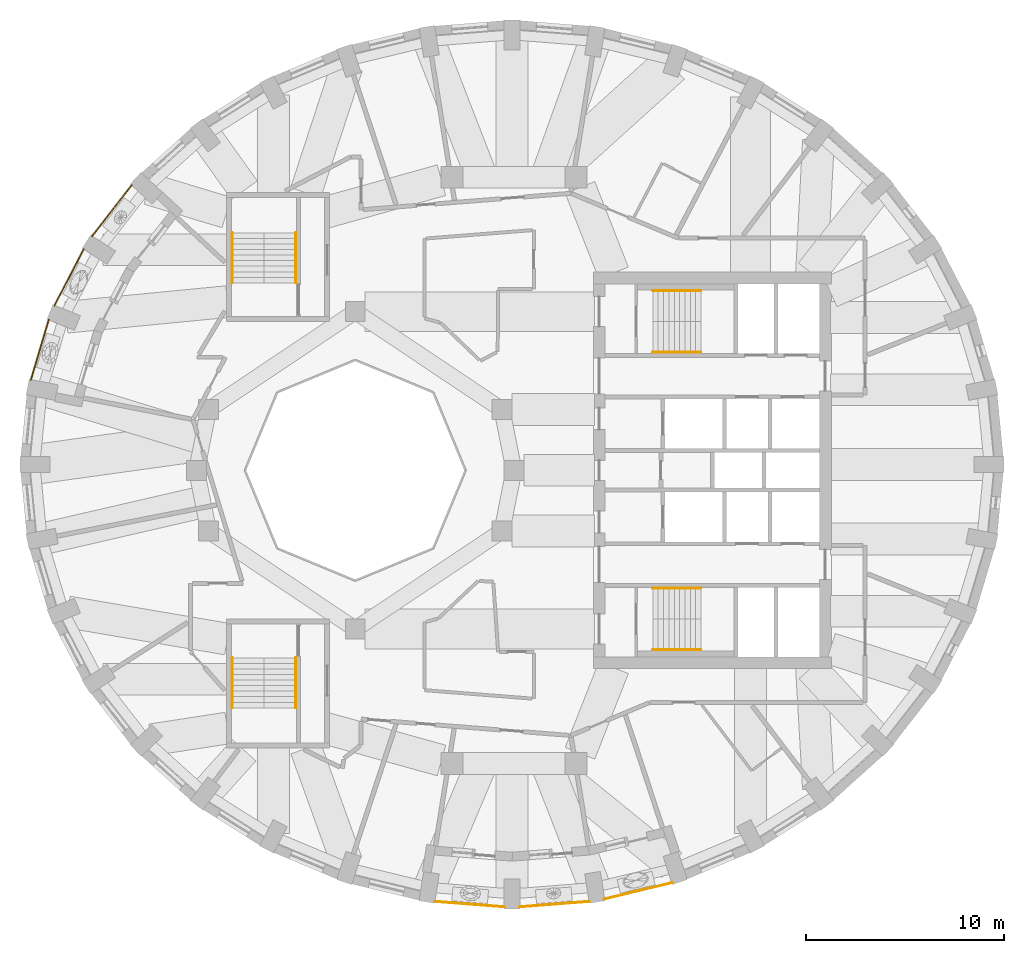
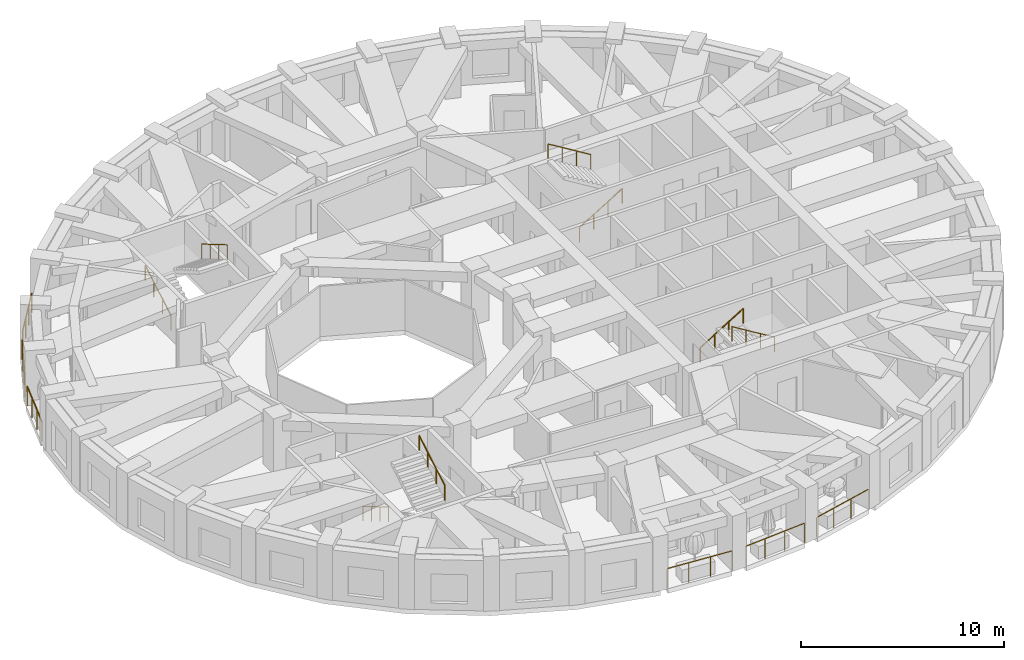
# One storey, part 10 of 12: 14 railings.
"""IFC4 building model written with IfcOpenShell, lengths in metres."""

from ifc_helpers import new_model, si_unit, direction, frame, origin, origin_2d, place, context, subcontext, project, spatial, circle, extrude, material, type_object, element, save


model = new_model("IFC4")

# Units and contexts
model_context = context("Model", 3, precision=1e-05, world=origin(), true_north=direction((0.0, 1.0)))
body_context = subcontext(model_context, "Body", "Model", "MODEL_VIEW")
ifc_project = project(units=[si_unit("LENGTHUNIT", "METRE"), si_unit("AREAUNIT", "SQUARE_METRE"), si_unit("VOLUMEUNIT", "CUBIC_METRE"), si_unit("PLANEANGLEUNIT", "RADIAN"), si_unit("MASSUNIT", "GRAM", prefix="KILO")], contexts=[model_context])

# Site, building, storey
site_placement = place(None, origin())
site = spatial("IfcSite", under=ifc_project, at=site_placement, CompositionType="ELEMENT")
building_placement = place(site_placement, origin())
building = spatial("IfcBuilding", under=site, at=building_placement, Name="Taillehof Tower", CompositionType="ELEMENT")
storey_placement = place(building_placement, frame((0.0, 0.0, 249.800048828125)))
storey = spatial("IfcBuildingStorey", under=building, at=storey_placement, Name="L71", CompositionType="ELEMENT", Elevation=249.800048828125)

# Railings
ifc_material_1 = material(Name="Stainless steel balustrade", Category="steel")
railing_type_1 = type_object("IfcRailingType", Name="Balcony guard 1200", PredefinedType="GUARDRAIL", material=ifc_material_1)
railing_1_placement = place(storey_placement, frame((-4.004638671875, -21.732177734375, 0.0)))
element("IfcRailing", 1, at=railing_1_placement, inside=storey, type_object=railing_type_1, Name="Balcony guard L71 bay 27", PredefinedType="GUARDRAIL", context=body_context, shape_type="SweptSolid", body=[
    extrude(circle(Radius=0.02392578125, at=origin_2d()), frame((0.0, 0.0, 1.17578125), z_axis=(0.99691310074, -0.078512862474, 0.0), x_axis=(0.078512862474, 0.99691310074, 0.0)), (0.0, 0.0, 1.0), 3.53564453125),
    extrude(circle(Radius=0.02099609375, at=origin_2d()), origin(), (0.0, 0.0, 1.0), 1.15185546875),
    extrude(circle(Radius=0.02099609375, at=origin_2d()), frame((1.1748046875, -0.092529296875, 0.0)), (0.0, 0.0, 1.0), 1.15185546875),
    extrude(circle(Radius=0.02099609375, at=origin_2d()), frame((2.349853515625, -0.18505859375, 0.0)), (0.0, 0.0, 1.0), 1.15185546875),
    extrude(circle(Radius=0.02099609375, at=origin_2d()), frame((3.524658203125, -0.277587890625, 0.0)), (0.0, 0.0, 1.0), 1.15185546875),
])
railing_2_placement = place(storey_placement, frame((0.280029296875, -22.009765625, 0.0)))
element("IfcRailing", 2, at=railing_2_placement, inside=storey, type_object=railing_type_1, Name="Balcony guard L71 bay 28", PredefinedType="GUARDRAIL", context=body_context, shape_type="SweptSolid", body=[
    extrude(circle(Radius=0.02392578125, at=origin_2d()), frame((0.0, 0.0, 1.17578125), z_axis=(0.99691310074, 0.078512862474, 0.0), x_axis=(-0.078512862474, 0.99691310074, 0.0)), (0.0, 0.0, 1.0), 3.53564453125),
    extrude(circle(Radius=0.02099609375, at=origin_2d()), origin(), (0.0, 0.0, 1.0), 1.15185546875),
    extrude(circle(Radius=0.02099609375, at=origin_2d()), frame((1.1748046875, 0.092529296875, 0.0)), (0.0, 0.0, 1.0), 1.15185546875),
    extrude(circle(Radius=0.02099609375, at=origin_2d()), frame((2.349853515625, 0.18505859375, 0.0)), (0.0, 0.0, 1.0), 1.15185546875),
    extrude(circle(Radius=0.02099609375, at=origin_2d()), frame((3.524658203125, 0.277587890625, 0.0)), (0.0, 0.0, 1.0), 1.15185546875),
])
railing_3_placement = place(storey_placement, frame((4.555419921875, -21.61279296875, 0.0)))
element("IfcRailing", 3, at=railing_3_placement, inside=storey, type_object=railing_type_1, Name="Balcony guard L71 bay 29", PredefinedType="GUARDRAIL", context=body_context, shape_type="SweptSolid", body=[
    extrude(circle(Radius=0.02392578125, at=origin_2d()), frame((0.0, 0.0, 1.17578125), z_axis=(0.972116636457, 0.234497857397, 0.0), x_axis=(-0.234497857397, 0.972116636457, 0.0)), (0.0, 0.0, 1.0), 3.5126953125),
    extrude(circle(Radius=0.02099609375, at=origin_2d()), origin(), (0.0, 0.0, 1.0), 1.15185546875),
    extrude(circle(Radius=0.02099609375, at=origin_2d()), frame((1.13818359375, 0.274658203125, 0.0)), (0.0, 0.0, 1.0), 1.15185546875),
    extrude(circle(Radius=0.02099609375, at=origin_2d()), frame((2.276611328125, 0.549072265625, 0.0)), (0.0, 0.0, 1.0), 1.15185546875),
    extrude(circle(Radius=0.02099609375, at=origin_2d()), frame((3.414794921875, 0.82373046875, 0.0)), (0.0, 0.0, 1.0), 1.15185546875),
])
railing_4_placement = place(storey_placement, frame((-19.262939453125, 14.384521484375, 0.0)))
element("IfcRailing", 4, at=railing_4_placement, inside=storey, type_object=railing_type_1, Name="Balcony guard L71 bay 15", PredefinedType="GUARDRAIL", context=body_context, shape_type="SweptSolid", body=[
    extrude(circle(Radius=0.02392578125, at=origin_2d()), frame((0.0, 0.0, 1.17578125), z_axis=(-0.613914823263, -0.789372275785, 0.0), x_axis=(0.789372275785, -0.613914823263, 0.0)), (0.0, 0.0, 1.0), 3.27685546875),
    extrude(circle(Radius=0.02099609375, at=origin_2d()), origin(), (0.0, 0.0, 1.0), 1.15185546875),
    extrude(circle(Radius=0.02099609375, at=origin_2d()), frame((-0.670654296875, -0.8623046875, 0.0)), (0.0, 0.0, 1.0), 1.15185546875),
    extrude(circle(Radius=0.02099609375, at=origin_2d()), frame((-1.341064453125, -1.724365234375, 0.0)), (0.0, 0.0, 1.0), 1.15185546875),
    extrude(circle(Radius=0.02099609375, at=origin_2d()), frame((-2.01171875, -2.586669921875, 0.0)), (0.0, 0.0, 1.0), 1.15185546875),
])
railing_5_placement = place(storey_placement, frame((-21.6845703125, 11.157470703125, 0.0)))
element("IfcRailing", 5, at=railing_5_placement, inside=storey, type_object=railing_type_1, Name="Balcony guard L71 bay 16", PredefinedType="GUARDRAIL", context=body_context, shape_type="SweptSolid", body=[
    extrude(circle(Radius=0.02392578125, at=origin_2d()), frame((0.0, 0.0, 1.17578125), z_axis=(-0.4599205147, -0.887960089282, 0.0), x_axis=(0.887960089282, -0.4599205147, 0.0)), (0.0, 0.0, 1.0), 3.21630859375),
    extrude(circle(Radius=0.02099609375, at=origin_2d()), origin(), (0.0, 0.0, 1.0), 1.15185546875),
    extrude(circle(Radius=0.02099609375, at=origin_2d()), frame((-0.4931640625, -0.951904296875, 0.0)), (0.0, 0.0, 1.0), 1.15185546875),
    extrude(circle(Radius=0.02099609375, at=origin_2d()), frame((-0.986083984375, -1.904052734375, 0.0)), (0.0, 0.0, 1.0), 1.15185546875),
    extrude(circle(Radius=0.02099609375, at=origin_2d()), frame((-1.479248046875, -2.85595703125, 0.0)), (0.0, 0.0, 1.0), 1.15185546875),
])
railing_6_placement = place(storey_placement, frame((-23.4482421875, 7.5966796875, 0.0)))
element("IfcRailing", 6, at=railing_6_placement, inside=storey, type_object=railing_type_1, Name="Balcony guard L71 bay 17", PredefinedType="GUARDRAIL", context=body_context, shape_type="SweptSolid", body=[
    extrude(circle(Radius=0.02392578125, at=origin_2d()), frame((0.0, 0.0, 1.17578125), z_axis=(-0.285199702908, -0.958468116038, 0.0), x_axis=(0.958468116038, -0.285199702908, 0.0)), (0.0, 0.0, 1.0), 3.170654296875),
    extrude(circle(Radius=0.02099609375, at=origin_2d()), origin(), (0.0, 0.0, 1.0), 1.15185546875),
    extrude(circle(Radius=0.02099609375, at=origin_2d()), frame((-0.301513671875, -1.012939453125, 0.0)), (0.0, 0.0, 1.0), 1.15185546875),
    extrude(circle(Radius=0.02099609375, at=origin_2d()), frame((-0.602783203125, -2.026123046875, 0.0)), (0.0, 0.0, 1.0), 1.15185546875),
    extrude(circle(Radius=0.02099609375, at=origin_2d()), frame((-0.904296875, -3.0390625, 0.0)), (0.0, 0.0, 1.0), 1.15185546875),
])
ifc_material_2 = material(Name="Stainless steel", Category="steel")
railing_type_2 = type_object("IfcRailingType", Name="Stair handrail 900", PredefinedType="HANDRAIL", material=ifc_material_2)
railing_7_placement = place(storey_placement, frame((7.0, 5.949951171875, 0.1650390625)))
element("IfcRailing", 7, at=railing_7_placement, inside=storey, type_object=railing_type_2, Name="Stair S1 handrail", PredefinedType="HANDRAIL", context=body_context, shape_type="SweptSolid", body=[
    extrude(circle(Radius=0.02392578125, at=origin_2d()), frame((0.0, 0.0, 0.8759765625), z_axis=(0.853296667938, 0.0, 0.521425734392), x_axis=(0.0, 1.0, 0.0)), (0.0, 0.0, 1.0), 2.84765625),
    extrude(circle(Radius=0.02099609375, at=origin_2d()), origin(), (0.0, 0.0, 1.0), 0.851806640625),
    extrude(circle(Radius=0.02099609375, at=origin_2d()), frame((0.81005859375, 0.0, 0.494873046875)), (0.0, 0.0, 1.0), 0.851806640625),
    extrude(circle(Radius=0.02099609375, at=origin_2d()), frame((1.619873046875, 0.0, 0.989990234375)), (0.0, 0.0, 1.0), 0.851806640625),
    extrude(circle(Radius=0.02099609375, at=origin_2d()), frame((2.429931640625, 0.0, 1.48486328125)), (0.0, 0.0, 1.0), 0.851806640625),
])
railing_8_placement = place(storey_placement, frame((9.429931640625, 9.050048828125, 1.81494140625)))
element("IfcRailing", 8, at=railing_8_placement, inside=storey, type_object=railing_type_2, Name="Stair S1 handrail", PredefinedType="HANDRAIL", context=body_context, shape_type="SweptSolid", body=[
    extrude(circle(Radius=0.02392578125, at=origin_2d()), frame((0.0, 0.0, 0.8759765625), z_axis=(-0.853258522278, 0.0, 0.521488153423), x_axis=(0.0, -1.0, 0.0)), (0.0, 0.0, 1.0), 2.847900390625),
    extrude(circle(Radius=0.02099609375, at=origin_2d()), origin(), (0.0, 0.0, 1.0), 0.851806640625),
    extrude(circle(Radius=0.02099609375, at=origin_2d()), frame((-0.81005859375, 0.0, 0.4951171875)), (0.0, 0.0, 1.0), 0.851806640625),
    extrude(circle(Radius=0.02099609375, at=origin_2d()), frame((-1.619873046875, 0.0, 0.989990234375)), (0.0, 0.0, 1.0), 0.851806640625),
    extrude(circle(Radius=0.02099609375, at=origin_2d()), frame((-2.429931640625, 0.0, 1.485107421875)), (0.0, 0.0, 1.0), 0.851806640625),
])
railing_9_placement = place(storey_placement, frame((7.0, -5.949951171875, 0.1650390625)))
element("IfcRailing", 9, at=railing_9_placement, inside=storey, type_object=railing_type_2, Name="Stair S2 handrail", PredefinedType="HANDRAIL", context=body_context, shape_type="SweptSolid", body=[
    extrude(circle(Radius=0.02392578125, at=origin_2d()), frame((0.0, 0.0, 0.8759765625), z_axis=(0.853296667938, 0.0, 0.521425734392), x_axis=(0.0, 1.0, 0.0)), (0.0, 0.0, 1.0), 2.84765625),
    extrude(circle(Radius=0.02099609375, at=origin_2d()), origin(), (0.0, 0.0, 1.0), 0.851806640625),
    extrude(circle(Radius=0.02099609375, at=origin_2d()), frame((0.81005859375, 0.0, 0.494873046875)), (0.0, 0.0, 1.0), 0.851806640625),
    extrude(circle(Radius=0.02099609375, at=origin_2d()), frame((1.619873046875, 0.0, 0.989990234375)), (0.0, 0.0, 1.0), 0.851806640625),
    extrude(circle(Radius=0.02099609375, at=origin_2d()), frame((2.429931640625, 0.0, 1.48486328125)), (0.0, 0.0, 1.0), 0.851806640625),
])
railing_10_placement = place(storey_placement, frame((9.429931640625, -9.050048828125, 1.81494140625)))
element("IfcRailing", 10, at=railing_10_placement, inside=storey, type_object=railing_type_2, Name="Stair S2 handrail", PredefinedType="HANDRAIL", context=body_context, shape_type="SweptSolid", body=[
    extrude(circle(Radius=0.02392578125, at=origin_2d()), frame((0.0, 0.0, 0.8759765625), z_axis=(-0.853258522278, 0.0, 0.521488153423), x_axis=(0.0, -1.0, 0.0)), (0.0, 0.0, 1.0), 2.847900390625),
    extrude(circle(Radius=0.02099609375, at=origin_2d()), origin(), (0.0, 0.0, 1.0), 0.851806640625),
    extrude(circle(Radius=0.02099609375, at=origin_2d()), frame((-0.81005859375, 0.0, 0.4951171875)), (0.0, 0.0, 1.0), 0.851806640625),
    extrude(circle(Radius=0.02099609375, at=origin_2d()), frame((-1.619873046875, 0.0, 0.989990234375)), (0.0, 0.0, 1.0), 0.851806640625),
    extrude(circle(Radius=0.02099609375, at=origin_2d()), frame((-2.429931640625, 0.0, 1.485107421875)), (0.0, 0.0, 1.0), 0.851806640625),
])
railing_11_placement = place(storey_placement, frame((-14.199951171875, 9.449951171875, 0.1650390625)))
element("IfcRailing", 11, at=railing_11_placement, inside=storey, type_object=railing_type_2, Name="Stair S3 handrail", PredefinedType="HANDRAIL", context=body_context, shape_type="SweptSolid", body=[
    extrude(circle(Radius=0.02392578125, at=origin_2d()), frame((0.0, 0.0, 0.8759765625), z_axis=(0.0, 0.861560626758, 0.507654692109), x_axis=(-1.0, 0.0, 0.0)), (0.0, 0.0, 1.0), 2.925048828125),
    extrude(circle(Radius=0.02099609375, at=origin_2d()), origin(), (0.0, 0.0, 1.0), 0.851806640625),
    extrude(circle(Radius=0.02099609375, at=origin_2d()), frame((0.0, 0.840087890625, 0.494873046875)), (0.0, 0.0, 1.0), 0.851806640625),
    extrude(circle(Radius=0.02099609375, at=origin_2d()), frame((0.0, 1.679931640625, 0.989990234375)), (0.0, 0.0, 1.0), 0.851806640625),
    extrude(circle(Radius=0.02099609375, at=origin_2d()), frame((0.0, 2.52001953125, 1.48486328125)), (0.0, 0.0, 1.0), 0.851806640625),
])
railing_12_placement = place(storey_placement, frame((-11.0, 11.969970703125, 1.81494140625)))
element("IfcRailing", 12, at=railing_12_placement, inside=storey, type_object=railing_type_2, Name="Stair S3 handrail", PredefinedType="HANDRAIL", context=body_context, shape_type="SweptSolid", body=[
    extrude(circle(Radius=0.02392578125, at=origin_2d()), frame((0.0, 0.0, 0.8759765625), z_axis=(0.0, -0.86152411907, 0.507716645641), x_axis=(1.0, 0.0, 0.0)), (0.0, 0.0, 1.0), 2.925048828125),
    extrude(circle(Radius=0.02099609375, at=origin_2d()), origin(), (0.0, 0.0, 1.0), 0.851806640625),
    extrude(circle(Radius=0.02099609375, at=origin_2d()), frame((0.0, -0.840087890625, 0.4951171875)), (0.0, 0.0, 1.0), 0.851806640625),
    extrude(circle(Radius=0.02099609375, at=origin_2d()), frame((0.0, -1.679931640625, 0.989990234375)), (0.0, 0.0, 1.0), 0.851806640625),
    extrude(circle(Radius=0.02099609375, at=origin_2d()), frame((0.0, -2.52001953125, 1.485107421875)), (0.0, 0.0, 1.0), 0.851806640625),
])
railing_13_placement = place(storey_placement, frame((-14.199951171875, -9.449951171875, 0.1650390625)))
element("IfcRailing", 13, at=railing_13_placement, inside=storey, type_object=railing_type_2, Name="Stair S4 handrail", PredefinedType="HANDRAIL", context=body_context, shape_type="SweptSolid", body=[
    extrude(circle(Radius=0.02392578125, at=origin_2d()), frame((0.0, 0.0, 0.8759765625), z_axis=(0.0, -0.861560626758, 0.507654692109), x_axis=(1.0, 0.0, 0.0)), (0.0, 0.0, 1.0), 2.925048828125),
    extrude(circle(Radius=0.02099609375, at=origin_2d()), origin(), (0.0, 0.0, 1.0), 0.851806640625),
    extrude(circle(Radius=0.02099609375, at=origin_2d()), frame((0.0, -0.840087890625, 0.494873046875)), (0.0, 0.0, 1.0), 0.851806640625),
    extrude(circle(Radius=0.02099609375, at=origin_2d()), frame((0.0, -1.679931640625, 0.989990234375)), (0.0, 0.0, 1.0), 0.851806640625),
    extrude(circle(Radius=0.02099609375, at=origin_2d()), frame((0.0, -2.52001953125, 1.48486328125)), (0.0, 0.0, 1.0), 0.851806640625),
])
railing_14_placement = place(storey_placement, frame((-11.0, -11.969970703125, 1.81494140625)))
element("IfcRailing", 14, at=railing_14_placement, inside=storey, type_object=railing_type_2, Name="Stair S4 handrail", PredefinedType="HANDRAIL", context=body_context, shape_type="SweptSolid", body=[
    extrude(circle(Radius=0.02392578125, at=origin_2d()), frame((0.0, 0.0, 0.8759765625), z_axis=(0.0, 0.86152411907, 0.507716645641), x_axis=(-1.0, 0.0, 0.0)), (0.0, 0.0, 1.0), 2.925048828125),
    extrude(circle(Radius=0.02099609375, at=origin_2d()), origin(), (0.0, 0.0, 1.0), 0.851806640625),
    extrude(circle(Radius=0.02099609375, at=origin_2d()), frame((0.0, 0.840087890625, 0.4951171875)), (0.0, 0.0, 1.0), 0.851806640625),
    extrude(circle(Radius=0.02099609375, at=origin_2d()), frame((0.0, 1.679931640625, 0.989990234375)), (0.0, 0.0, 1.0), 0.851806640625),
    extrude(circle(Radius=0.02099609375, at=origin_2d()), frame((0.0, 2.52001953125, 1.485107421875)), (0.0, 0.0, 1.0), 0.851806640625),
])

save(model, "model.ifc")
